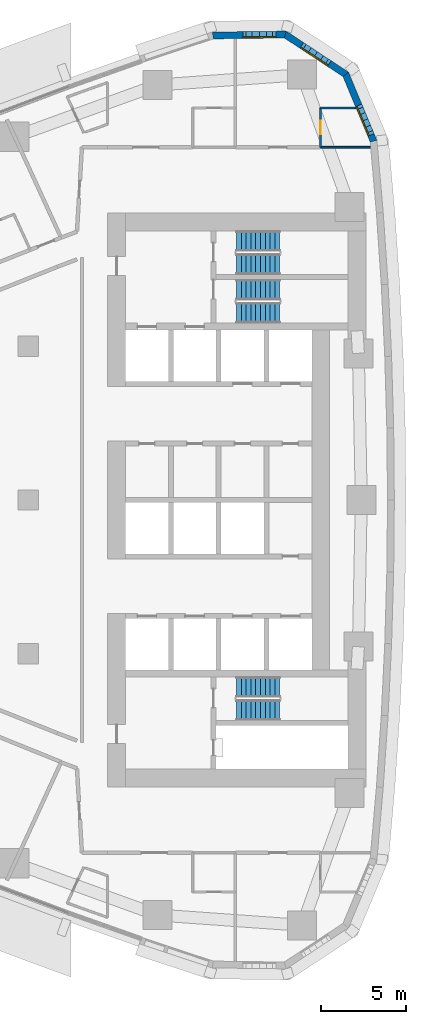
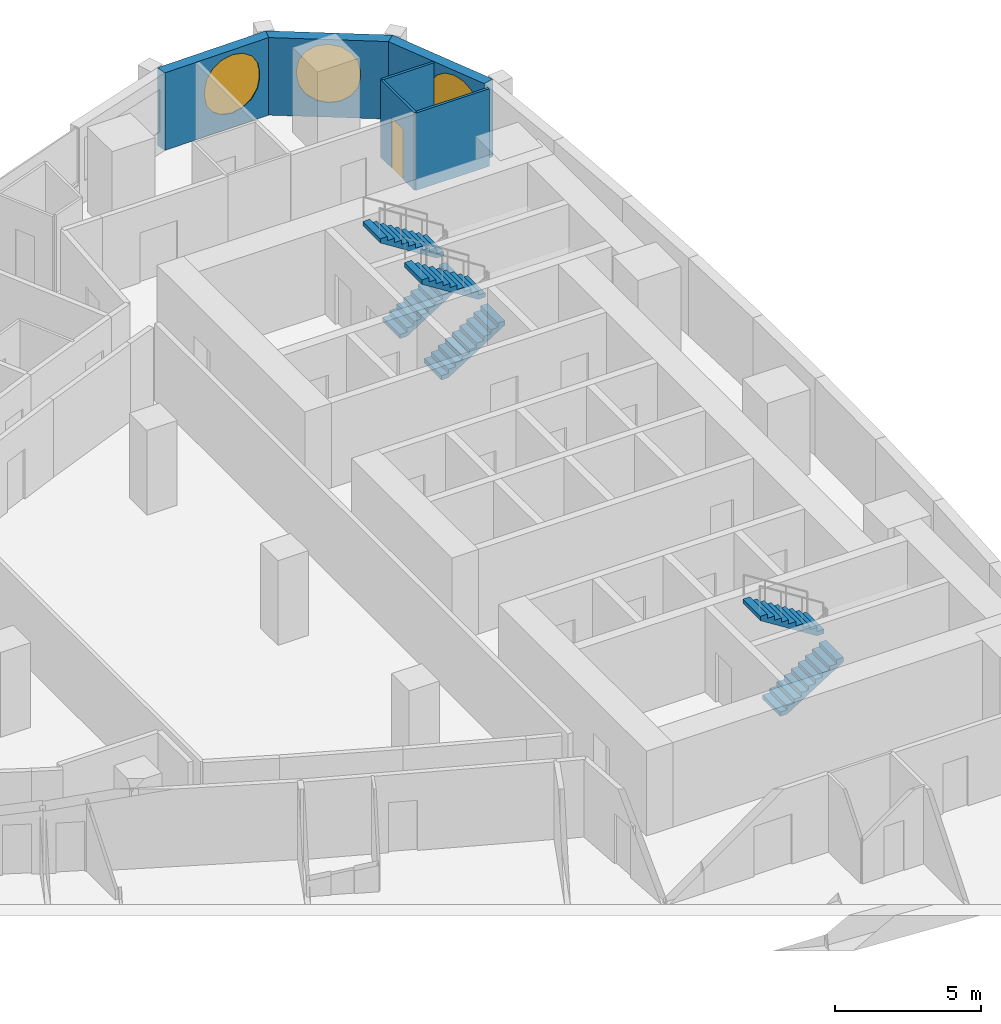
# One storey, part 13 of 17: 6 stair flights, 6 walls, 3 windows, 1 door, 4 openings, 3 elements without a shape of their own.
"""IFC4 building model written with IfcOpenShell, lengths in metres."""

from ifc_helpers import new_model, si_unit, direction, frame, frame_2d, origin, place, context, subcontext, project, spatial, polyline, rectangle, outline, extrude, material, layer, layer_set, type_object, element, fill, aggregate, save


model = new_model("IFC4")

# Units and contexts
model_context = context("Model", 3, precision=1e-05, world=origin(), true_north=direction((0.0, 1.0)))
body_context = subcontext(model_context, "Body", "Model", "MODEL_VIEW")
ifc_project = project(units=[si_unit("LENGTHUNIT", "METRE"), si_unit("AREAUNIT", "SQUARE_METRE"), si_unit("VOLUMEUNIT", "CUBIC_METRE"), si_unit("PLANEANGLEUNIT", "RADIAN"), si_unit("MASSUNIT", "GRAM", prefix="KILO")], contexts=[model_context])

# Site, building, storey
site_placement = place(None, origin())
site = spatial("IfcSite", under=ifc_project, at=site_placement, CompositionType="ELEMENT")
building_placement = place(site_placement, origin())
building = spatial("IfcBuilding", under=site, at=building_placement, Name="Ostrand Prow Hotel Tower", CompositionType="ELEMENT")
storey_placement = place(building_placement, frame((0.0, 0.0, 95.550048828125)))
storey = spatial("IfcBuildingStorey", under=building, at=storey_placement, Name="L22", CompositionType="ELEMENT", Elevation=95.550048828125)

# Wall, opening, door
ifc_material_1 = material(Name="Plasterboard partition")
ifc_layer_1 = layer(ifc_material_1, 0.10009765625)
ifc_layer_set_1 = layer_set([ifc_layer_1], Name="Plasterboard partition")
wall_type_1 = type_object("IfcWallType", Name="Partition 100 bathroom wall", PredefinedType="PARTITIONING", material=ifc_layer_set_1)
wall_1_placement = place(storey_placement, frame((62.111083984375, 20.64990234375, 0.0), z_axis=(0.0, 0.0, 1.0), x_axis=(0.0, 1.0, 0.0)))
wall_1 = element("IfcWall", 1, at=wall_1_placement, inside=storey, type_object=wall_type_1, Name="BATHROOM WALL", PredefinedType="PARTITIONING", context=body_context, shape_type="SweptSolid", body=[
    extrude(rectangle(XDim=2.300048828125, YDim=0.10009765625, at=frame_2d((1.14990234375, 0.0))), origin(), (0.0, 0.0, 1.0), 3.25),
])
opening_1_placement = place(wall_1_placement, frame((0.75, 0.0, 0.0)))
opening_1 = element("IfcOpeningElement", 2, at=opening_1_placement, cuts=wall_1, Name="Opening D2", PredefinedType="OPENING", context=body_context, shape_type="SweptSolid", body=[
    extrude(rectangle(XDim=0.800048828125, YDim=2.10009765625, at=frame_2d((0.39990234375, 1.050048828125))), frame((0.0, 0.06005859375, 0.0), z_axis=(0.0, -1.0, 0.0), x_axis=(1.0, 0.0, 0.0)), (0.0, 0.0, 1.0), 0.1201171875),
])
ifc_material_2 = material(Name="Timber door leaf", Category="wood")
door_type = type_object("IfcDoorType", Name="Bathroom door 800", OperationType="SINGLE_SWING_LEFT", PredefinedType="DOOR", material=ifc_material_2)
door_placement = place(opening_1_placement, origin())
door = element("IfcDoor", 3, at=door_placement, inside=storey, type_object=door_type, Name="DOOR", OperationType="SINGLE_SWING_LEFT", OverallHeight=2.10009765625, OverallWidth=0.800048828125, PredefinedType="DOOR", context=body_context, shape_type="SweptSolid", body=[
    extrude(rectangle(XDim=0.800048828125, YDim=2.10009765625, at=frame_2d((0.39990234375, 1.050048828125))), frame((0.0, 0.02490234375, 0.0), z_axis=(0.0, -1.0, 0.0), x_axis=(1.0, 0.0, 0.0)), (0.0, 0.0, 1.0), 0.050048828125),
])
fill(opening_1, door)

# Walls
wall_2_placement = place(storey_placement, frame((62.111083984375, 22.949951171875, 0.0), z_axis=(0.0, 0.0, 1.0), x_axis=(1.0, 0.0, 0.0)))
element("IfcWall", 4, at=wall_2_placement, inside=storey, type_object=wall_type_1, Name="BATHROOM WALL", PredefinedType="PARTITIONING", context=body_context, shape_type="SweptSolid", body=[
    extrude(rectangle(XDim=2.04931640625, YDim=0.10009765625, at=frame_2d((1.024658203125, 0.0))), origin(), (0.0, 0.0, 1.0), 3.25),
])
wall_3_placement = place(storey_placement, frame((65.016845703125, 20.655029296875, 0.0), z_axis=(0.0, 0.0, 1.0), x_axis=(-1.0, 0.0, 0.0)))
element("IfcWall", 5, at=wall_3_placement, inside=storey, type_object=wall_type_1, Name="BATHROOM WALL", PredefinedType="PARTITIONING", context=body_context, shape_type="SweptSolid", body=[
    extrude(rectangle(XDim=2.90576171875, YDim=0.10009765625, at=frame_2d((1.452880859375, 0.0))), origin(), (0.0, 0.0, 1.0), 3.25),
])

# Wall, opening, window
ifc_material_3 = material(Name="Precast concrete C40/50", Category="concrete")
ifc_layer_2 = layer(ifc_material_3, 0.39990234375)
ifc_layer_set_2 = layer_set([ifc_layer_2], Name="Precast concrete C40/50")
wall_type_2 = type_object("IfcWallType", Name="Stone-faced precast wall 400 mm", PredefinedType="NOTDEFINED", material=ifc_layer_set_2)
wall_4_placement = place(storey_placement, frame((65.21728515625, 21.001708984375, 0.0), z_axis=(0.0, 0.0, 1.0), x_axis=(-0.383997751971, 0.923334027577, 0.0)))
wall_4 = element("IfcWall", 6, at=wall_4_placement, inside=storey, type_object=wall_type_2, Name="Stone-faced wall back 15", PredefinedType="NOTDEFINED", context=body_context, shape_type="SweptSolid", body=[
    extrude(outline(polyline([(-0.031005859375, -0.199951171875), (4.300048828125, -0.199951171875), (4.177490234375, 0.199951171875), (0.031005859375, 0.199951171875), (-0.031005859375, -0.199951171875)])), origin(), (0.0, 0.0, 1.0), 3.25),
])
opening_2_placement = place(wall_4_placement, frame((0.28662109375, 0.0, 0.60009765625)))
opening_2 = element("IfcOpeningElement", 7, at=opening_2_placement, cuts=wall_4, Name="Opening WP1-21", PredefinedType="OPENING", context=body_context, shape_type="SweptSolid", body=[
    extrude(outline(polyline([(0.0, 1.39990234375), (0.079833984375, 1.8017578125), (0.3076171875, 2.142333984375), (0.648193359375, 2.3701171875), (1.050048828125, 2.449951171875), (1.451904296875, 2.3701171875), (1.79248046875, 2.142333984375), (2.020263671875, 1.8017578125), (2.10009765625, 1.39990234375), (2.10009765625, 1.050048828125), (2.020263671875, 0.648193359375), (1.79248046875, 0.3076171875), (1.451904296875, 0.079833984375), (1.050048828125, 0.0), (0.648193359375, 0.079833984375), (0.3076171875, 0.3076171875), (0.079833984375, 0.648193359375), (0.0, 1.050048828125), (0.0, 1.39990234375)])), frame((0.0, 0.2099609375, 0.0), z_axis=(0.0, -1.0, 0.0), x_axis=(1.0, 0.0, 0.0)), (0.0, 0.0, 1.0), 0.419921875),
])
ifc_material_4 = material(Name="Insulated glass in bronze frame", Category="glass")
window_type_1 = type_object("IfcWindowType", Name="Round-ended prow window 2100x2450", PartitioningType="SINGLE_PANEL", PredefinedType="WINDOW", material=ifc_material_4)
window_1_placement = place(opening_2_placement, origin())
window_1 = element("IfcWindow", 8, at=window_1_placement, inside=storey, type_object=window_type_1, Name="Window back 15.1", OverallHeight=2.449951171875, OverallWidth=2.10009765625, PartitioningType="SINGLE_PANEL", PredefinedType="WINDOW", context=body_context, shape_type="SweptSolid", body=[
    extrude(outline(polyline([(0.0, 1.39990234375), (0.079833984375, 1.8017578125), (0.3076171875, 2.142333984375), (0.648193359375, 2.3701171875), (1.050048828125, 2.449951171875), (1.451904296875, 2.3701171875), (1.79248046875, 2.142333984375), (2.020263671875, 1.8017578125), (2.10009765625, 1.39990234375), (2.10009765625, 1.050048828125), (2.020263671875, 0.648193359375), (1.79248046875, 0.3076171875), (1.451904296875, 0.079833984375), (1.050048828125, 0.0), (0.648193359375, 0.079833984375), (0.3076171875, 0.3076171875), (0.079833984375, 0.648193359375), (0.0, 1.050048828125), (0.0, 1.39990234375)])), frame((0.0, 0.169921875, 0.0), z_axis=(0.0, -1.0, 0.0), x_axis=(1.0, 0.0, 0.0)), (0.0, 0.0, 1.0), 0.06005859375),
])
fill(opening_2, window_1)

wall_5_placement = place(storey_placement, frame((63.589599609375, 24.91552734375, 0.0), z_axis=(0.0, 0.0, 1.0), x_axis=(-0.835340523653, 0.549732852887, 0.0)))
wall_5 = element("IfcWall", 9, at=wall_5_placement, inside=storey, type_object=wall_type_2, Name="Stone-faced wall back 16", PredefinedType="NOTDEFINED", context=body_context, shape_type="SweptSolid", body=[
    extrude(outline(polyline([(-0.061279296875, -0.199951171875), (4.30029296875, -0.199951171875), (4.177734375, 0.199951171875), (0.061279296875, 0.199951171875), (-0.061279296875, -0.199951171875)])), origin(), (0.0, 0.0, 1.0), 3.25),
])
opening_3_placement = place(wall_5_placement, frame((1.01953125, 0.0, 0.60009765625)))
opening_3 = element("IfcOpeningElement", 10, at=opening_3_placement, cuts=wall_5, Name="Opening WP1", PredefinedType="OPENING", context=body_context, shape_type="SweptSolid", body=[
    extrude(outline(polyline([(0.0, 1.35009765625), (0.083740234375, 1.77099609375), (0.322265625, 2.127685546875), (0.678955078125, 2.3662109375), (1.10009765625, 2.449951171875), (1.52099609375, 2.3662109375), (1.877685546875, 2.127685546875), (2.1162109375, 1.77099609375), (2.199951171875, 1.35009765625), (2.199951171875, 1.10009765625), (2.1162109375, 0.678955078125), (1.877685546875, 0.322265625), (1.52099609375, 0.083740234375), (1.10009765625, 0.0), (0.678955078125, 0.083740234375), (0.322265625, 0.322265625), (0.083740234375, 0.678955078125), (0.0, 1.099853515625), (0.0, 1.35009765625)])), frame((0.0, 0.2099609375, 0.0), z_axis=(0.0, -1.0, 0.0), x_axis=(1.0, 0.0, 0.0)), (0.0, 0.0, 1.0), 0.419921875),
])
ifc_material_5 = material(Name="Insulated glass in bronze frame", Category="glass")
window_type_2 = type_object("IfcWindowType", Name="Round-ended prow window 2200x2450", PartitioningType="SINGLE_PANEL", PredefinedType="WINDOW", material=ifc_material_5)
window_2_placement = place(opening_3_placement, origin())
window_2 = element("IfcWindow", 11, at=window_2_placement, inside=storey, type_object=window_type_2, Name="Window back 16.1", OverallHeight=2.449951171875, OverallWidth=2.199951171875, PartitioningType="SINGLE_PANEL", PredefinedType="WINDOW", context=body_context, shape_type="SweptSolid", body=[
    extrude(outline(polyline([(0.0, 1.35009765625), (0.083740234375, 1.77099609375), (0.322265625, 2.127685546875), (0.678955078125, 2.3662109375), (1.10009765625, 2.449951171875), (1.52099609375, 2.3662109375), (1.877685546875, 2.127685546875), (2.1162109375, 1.77099609375), (2.199951171875, 1.35009765625), (2.199951171875, 1.10009765625), (2.1162109375, 0.678955078125), (1.877685546875, 0.322265625), (1.52099609375, 0.083740234375), (1.10009765625, 0.0), (0.678955078125, 0.083740234375), (0.322265625, 0.322265625), (0.083740234375, 0.678955078125), (0.0, 1.099853515625), (0.0, 1.35009765625)])), frame((0.0, 0.169921875, 0.0), z_axis=(0.0, -1.0, 0.0), x_axis=(1.0, 0.0, 0.0)), (0.0, 0.0, 1.0), 0.06005859375),
])
fill(opening_3, window_2)

wall_6_placement = place(storey_placement, frame((60.048583984375, 27.245849609375, 0.0), z_axis=(0.0, 0.0, 1.0), x_axis=(-0.999919718849, -0.012671063772, 0.0)))
wall_6 = element("IfcWall", 12, at=wall_6_placement, inside=storey, type_object=wall_type_2, Name="Stone-faced wall back 17", PredefinedType="NOTDEFINED", context=body_context, shape_type="SweptSolid", body=[
    extrude(outline(polyline([(-0.061279296875, -0.199951171875), (4.269775390625, -0.199951171875), (4.207763671875, 0.199951171875), (0.061279296875, 0.199951171875), (-0.061279296875, -0.199951171875)])), origin(), (0.0, 0.0, 1.0), 3.25),
])
opening_4_placement = place(wall_6_placement, frame((0.418212890625, 0.0, 0.60009765625)))
opening_4 = element("IfcOpeningElement", 13, at=opening_4_placement, cuts=wall_6, Name="Opening WP1", PredefinedType="OPENING", context=body_context, shape_type="SweptSolid", body=[
    extrude(outline(polyline([(0.0, 1.35009765625), (0.083740234375, 1.77099609375), (0.322265625, 2.127685546875), (0.678955078125, 2.3662109375), (1.10009765625, 2.449951171875), (1.52099609375, 2.3662109375), (1.877685546875, 2.127685546875), (2.1162109375, 1.77099609375), (2.199951171875, 1.35009765625), (2.199951171875, 1.10009765625), (2.1162109375, 0.678955078125), (1.877685546875, 0.322265625), (1.52099609375, 0.083740234375), (1.10009765625, 0.0), (0.678955078125, 0.083740234375), (0.322265625, 0.322265625), (0.083740234375, 0.678955078125), (0.0, 1.099853515625), (0.0, 1.35009765625)])), frame((0.0, 0.2099609375, 0.0), z_axis=(0.0, -1.0, 0.0), x_axis=(1.0, 0.0, 0.0)), (0.0, 0.0, 1.0), 0.419921875),
])
window_3_placement = place(opening_4_placement, origin())
window_3 = element("IfcWindow", 14, at=window_3_placement, inside=storey, type_object=window_type_2, Name="Window back 17.1", OverallHeight=2.449951171875, OverallWidth=2.199951171875, PartitioningType="SINGLE_PANEL", PredefinedType="WINDOW", context=body_context, shape_type="SweptSolid", body=[
    extrude(outline(polyline([(0.0, 1.35009765625), (0.083740234375, 1.77099609375), (0.322265625, 2.127685546875), (0.678955078125, 2.3662109375), (1.10009765625, 2.449951171875), (1.52099609375, 2.3662109375), (1.877685546875, 2.127685546875), (2.1162109375, 1.77099609375), (2.199951171875, 1.35009765625), (2.199951171875, 1.10009765625), (2.1162109375, 0.678955078125), (1.877685546875, 0.322265625), (1.52099609375, 0.083740234375), (1.10009765625, 0.0), (0.678955078125, 0.083740234375), (0.322265625, 0.322265625), (0.083740234375, 0.678955078125), (0.0, 1.099853515625), (0.0, 1.35009765625)])), frame((0.0, 0.169921875, 0.0), z_axis=(0.0, -1.0, 0.0), x_axis=(1.0, 0.0, 0.0)), (0.0, 0.0, 1.0), 0.06005859375),
])
fill(opening_4, window_3)

# Stair, stair flights
ifc_material_6 = material(Name="Concrete C40/50", Category="concrete")
stair_type = type_object("IfcStairType", Name="Exit stair 1200 upper zone", PredefinedType="HALF_TURN_STAIR", material=ifc_material_6)
stair_1_placement = place(storey_placement, origin())
stair_1 = element("IfcStair", 15, at=stair_1_placement, inside=storey, type_object=stair_type, Name="L22 ST1C", PredefinedType="HALF_TURN_STAIR")
ifc_material_7 = material(Name="Concrete C40/50", Category="concrete")
stair_flight_type = type_object("IfcStairFlightType", Name="Stair flight 1200 concrete", PredefinedType="STRAIGHT", material=ifc_material_7)
stair_flight_1_placement = place(storey_placement, frame((57.199951171875, 10.949951171875, 0.0), z_axis=(0.0, 0.0, 1.0), x_axis=(1.0, 0.0, 0.0)))
stair_flight_1 = element("IfcStairFlight", 16, at=stair_flight_1_placement, type_object=stair_flight_type, Name="ST1C flight 1", NumberOfRisers=10, NumberOfTreads=9, PredefinedType="STRAIGHT", RiserHeight=0.1775, TreadLength=0.28, context=body_context, shape_type="SweptSolid", body=[
    extrude(outline(polyline([(0.0, 0.0), (0.0, 0.177490234375), (0.280029296875, 0.177490234375), (0.280029296875, 0.35498046875), (0.56005859375, 0.35498046875), (0.56005859375, 0.532470703125), (0.840087890625, 0.532470703125), (0.840087890625, 0.7099609375), (1.1201171875, 0.7099609375), (1.1201171875, 0.887451171875), (1.39990234375, 0.887451171875), (1.39990234375, 1.06494140625), (1.679931640625, 1.06494140625), (1.679931640625, 1.242431640625), (1.9599609375, 1.242431640625), (1.9599609375, 1.419921875), (2.239990234375, 1.419921875), (2.239990234375, 1.597412109375), (2.52001953125, 1.597412109375), (2.52001953125, 1.77490234375), (2.52001953125, 1.419921875), (0.280029296875, 0.0), (0.0, 0.0)])), frame((0.0, 0.60009765625, 0.0), z_axis=(0.0, -1.0, 0.0), x_axis=(1.0, 0.0, 0.0)), (0.0, 0.0, 1.0), 1.199951171875),
])
stair_flight_2_placement = place(storey_placement, frame((59.719970703125, 12.300048828125, 1.77490234375), z_axis=(0.0, 0.0, 1.0), x_axis=(-1.0, 0.0, 0.0)))
stair_flight_2 = element("IfcStairFlight", 17, at=stair_flight_2_placement, type_object=stair_flight_type, Name="ST1C flight 2", NumberOfRisers=10, NumberOfTreads=9, PredefinedType="STRAIGHT", RiserHeight=0.1775, TreadLength=0.28, context=body_context, shape_type="SweptSolid", body=[
    extrude(outline(polyline([(0.0, 0.0), (0.0, 0.177490234375), (0.280029296875, 0.177490234375), (0.280029296875, 0.35498046875), (0.56005859375, 0.35498046875), (0.56005859375, 0.532470703125), (0.840087890625, 0.532470703125), (0.840087890625, 0.7099609375), (1.1201171875, 0.7099609375), (1.1201171875, 0.887451171875), (1.39990234375, 0.887451171875), (1.39990234375, 1.06494140625), (1.679931640625, 1.06494140625), (1.679931640625, 1.242431640625), (1.9599609375, 1.242431640625), (1.9599609375, 1.419921875), (2.239990234375, 1.419921875), (2.239990234375, 1.597412109375), (2.52001953125, 1.597412109375), (2.52001953125, 1.77490234375), (2.52001953125, 1.419921875), (0.280029296875, 0.0), (0.0, 0.0)])), frame((0.0, 0.60009765625, 0.0), z_axis=(0.0, -1.0, 0.0), x_axis=(1.0, 0.0, 0.0)), (0.0, 0.0, 1.0), 1.199951171875),
])
aggregate(stair_1, [stair_flight_1, stair_flight_2])

stair_2_placement = place(storey_placement, origin())
stair_2 = element("IfcStair", 18, at=stair_2_placement, inside=storey, type_object=stair_type, Name="L22 ST3C", PredefinedType="HALF_TURN_STAIR")
stair_flight_3_placement = place(storey_placement, frame((57.199951171875, 13.800048828125, 0.0), z_axis=(0.0, 0.0, 1.0), x_axis=(1.0, 0.0, 0.0)))
stair_flight_3 = element("IfcStairFlight", 19, at=stair_flight_3_placement, type_object=stair_flight_type, Name="ST3C flight 1", NumberOfRisers=10, NumberOfTreads=9, PredefinedType="STRAIGHT", RiserHeight=0.1775, TreadLength=0.28, context=body_context, shape_type="SweptSolid", body=[
    extrude(outline(polyline([(0.0, 0.0), (0.0, 0.177490234375), (0.280029296875, 0.177490234375), (0.280029296875, 0.35498046875), (0.56005859375, 0.35498046875), (0.56005859375, 0.532470703125), (0.840087890625, 0.532470703125), (0.840087890625, 0.7099609375), (1.1201171875, 0.7099609375), (1.1201171875, 0.887451171875), (1.39990234375, 0.887451171875), (1.39990234375, 1.06494140625), (1.679931640625, 1.06494140625), (1.679931640625, 1.242431640625), (1.9599609375, 1.242431640625), (1.9599609375, 1.419921875), (2.239990234375, 1.419921875), (2.239990234375, 1.597412109375), (2.52001953125, 1.597412109375), (2.52001953125, 1.77490234375), (2.52001953125, 1.419921875), (0.280029296875, 0.0), (0.0, 0.0)])), frame((0.0, 0.60009765625, 0.0), z_axis=(0.0, -1.0, 0.0), x_axis=(1.0, 0.0, 0.0)), (0.0, 0.0, 1.0), 1.199951171875),
])
stair_flight_4_placement = place(storey_placement, frame((59.719970703125, 15.14990234375, 1.77490234375), z_axis=(0.0, 0.0, 1.0), x_axis=(-1.0, 0.0, 0.0)))
stair_flight_4 = element("IfcStairFlight", 20, at=stair_flight_4_placement, type_object=stair_flight_type, Name="ST3C flight 2", NumberOfRisers=10, NumberOfTreads=9, PredefinedType="STRAIGHT", RiserHeight=0.1775, TreadLength=0.28, context=body_context, shape_type="SweptSolid", body=[
    extrude(outline(polyline([(0.0, 0.0), (0.0, 0.177490234375), (0.280029296875, 0.177490234375), (0.280029296875, 0.35498046875), (0.56005859375, 0.35498046875), (0.56005859375, 0.532470703125), (0.840087890625, 0.532470703125), (0.840087890625, 0.7099609375), (1.1201171875, 0.7099609375), (1.1201171875, 0.887451171875), (1.39990234375, 0.887451171875), (1.39990234375, 1.06494140625), (1.679931640625, 1.06494140625), (1.679931640625, 1.242431640625), (1.9599609375, 1.242431640625), (1.9599609375, 1.419921875), (2.239990234375, 1.419921875), (2.239990234375, 1.597412109375), (2.52001953125, 1.597412109375), (2.52001953125, 1.77490234375), (2.52001953125, 1.419921875), (0.280029296875, 0.0), (0.0, 0.0)])), frame((0.0, 0.60009765625, 0.0), z_axis=(0.0, -1.0, 0.0), x_axis=(1.0, 0.0, 0.0)), (0.0, 0.0, 1.0), 1.199951171875),
])
aggregate(stair_2, [stair_flight_3, stair_flight_4])

stair_3_placement = place(storey_placement, origin())
stair_3 = element("IfcStair", 21, at=stair_3_placement, inside=storey, type_object=stair_type, Name="L22 ST2C", PredefinedType="HALF_TURN_STAIR")
stair_flight_5_placement = place(storey_placement, frame((57.199951171875, -12.300048828125, 0.0), z_axis=(0.0, 0.0, 1.0), x_axis=(1.0, 0.0, 0.0)))
stair_flight_5 = element("IfcStairFlight", 22, at=stair_flight_5_placement, type_object=stair_flight_type, Name="ST2C flight 1", NumberOfRisers=10, NumberOfTreads=9, PredefinedType="STRAIGHT", RiserHeight=0.1775, TreadLength=0.28, context=body_context, shape_type="SweptSolid", body=[
    extrude(outline(polyline([(0.0, 0.0), (0.0, 0.177490234375), (0.280029296875, 0.177490234375), (0.280029296875, 0.35498046875), (0.56005859375, 0.35498046875), (0.56005859375, 0.532470703125), (0.840087890625, 0.532470703125), (0.840087890625, 0.7099609375), (1.1201171875, 0.7099609375), (1.1201171875, 0.887451171875), (1.39990234375, 0.887451171875), (1.39990234375, 1.06494140625), (1.679931640625, 1.06494140625), (1.679931640625, 1.242431640625), (1.9599609375, 1.242431640625), (1.9599609375, 1.419921875), (2.239990234375, 1.419921875), (2.239990234375, 1.597412109375), (2.52001953125, 1.597412109375), (2.52001953125, 1.77490234375), (2.52001953125, 1.419921875), (0.280029296875, 0.0), (0.0, 0.0)])), frame((0.0, 0.60009765625, 0.0), z_axis=(0.0, -1.0, 0.0), x_axis=(1.0, 0.0, 0.0)), (0.0, 0.0, 1.0), 1.199951171875),
])
stair_flight_6_placement = place(storey_placement, frame((59.719970703125, -10.949951171875, 1.77490234375), z_axis=(0.0, 0.0, 1.0), x_axis=(-1.0, 0.0, 0.0)))
stair_flight_6 = element("IfcStairFlight", 23, at=stair_flight_6_placement, type_object=stair_flight_type, Name="ST2C flight 2", NumberOfRisers=10, NumberOfTreads=9, PredefinedType="STRAIGHT", RiserHeight=0.1775, TreadLength=0.28, context=body_context, shape_type="SweptSolid", body=[
    extrude(outline(polyline([(0.0, 0.0), (0.0, 0.177490234375), (0.280029296875, 0.177490234375), (0.280029296875, 0.35498046875), (0.56005859375, 0.35498046875), (0.56005859375, 0.532470703125), (0.840087890625, 0.532470703125), (0.840087890625, 0.7099609375), (1.1201171875, 0.7099609375), (1.1201171875, 0.887451171875), (1.39990234375, 0.887451171875), (1.39990234375, 1.06494140625), (1.679931640625, 1.06494140625), (1.679931640625, 1.242431640625), (1.9599609375, 1.242431640625), (1.9599609375, 1.419921875), (2.239990234375, 1.419921875), (2.239990234375, 1.597412109375), (2.52001953125, 1.597412109375), (2.52001953125, 1.77490234375), (2.52001953125, 1.419921875), (0.280029296875, 0.0), (0.0, 0.0)])), frame((0.0, 0.60009765625, 0.0), z_axis=(0.0, -1.0, 0.0), x_axis=(1.0, 0.0, 0.0)), (0.0, 0.0, 1.0), 1.199951171875),
])
aggregate(stair_3, [stair_flight_5, stair_flight_6])

save(model, "model.ifc")
